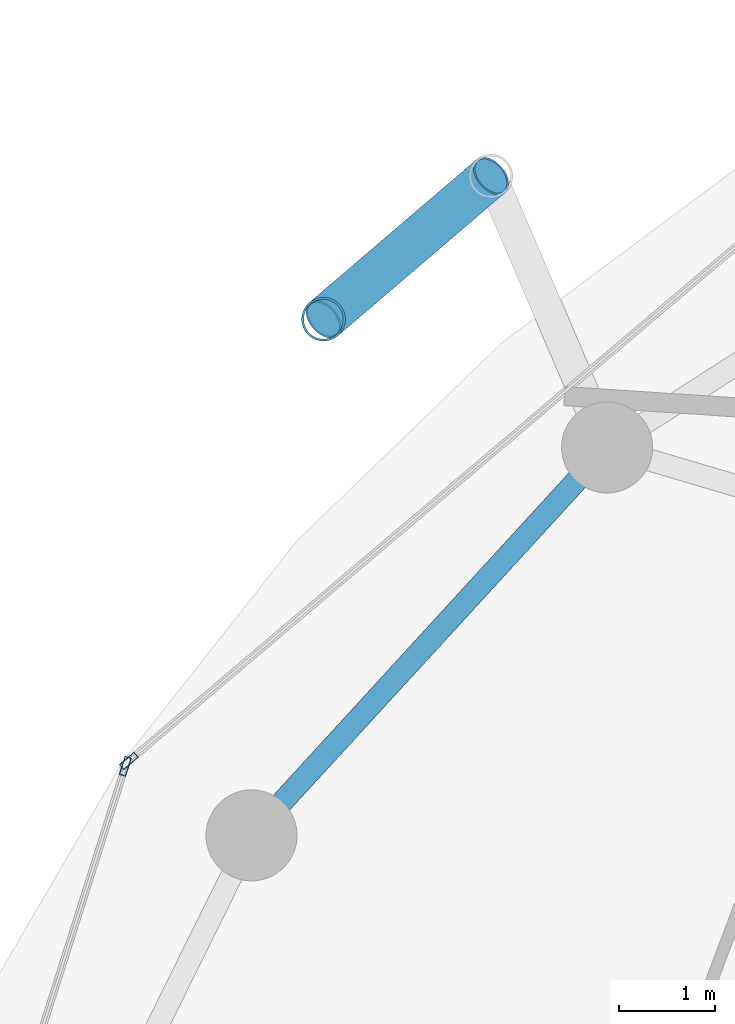
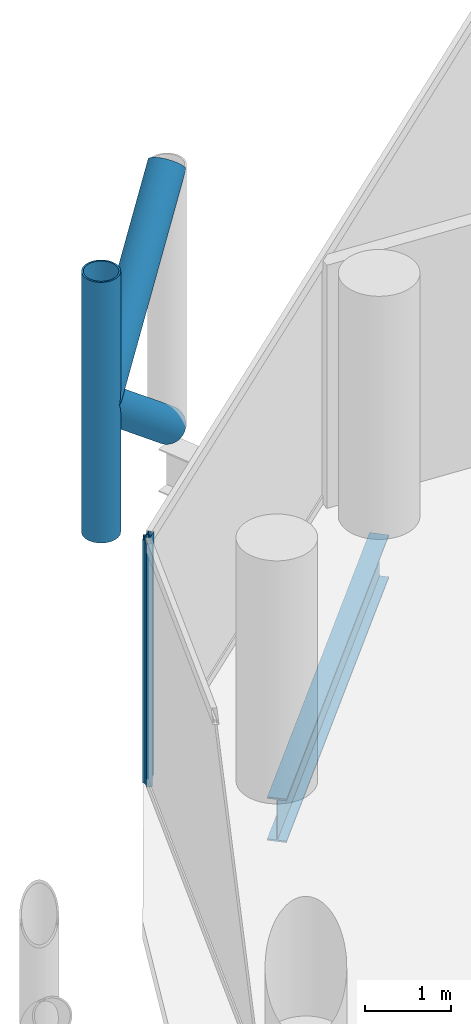
# One storey, part 13 of 26: 5 members, 1 beam, 2 elements without a shape of their own.
"""IFC4 building model written with IfcOpenShell, lengths in metres."""

from ifc_helpers import new_model, si_unit, direction, frame, origin, origin_2d, place, context, subcontext, project, spatial, hollow_rectangle, hollow_circle, i_section, extrude, material, layer, layer_set, material_profile, profile_set, type_object, element, aggregate, save


model = new_model("IFC4")

# Units and contexts
model_context = context("Model", 3, precision=1e-05, world=origin(), true_north=direction((0.0, 1.0)))
body_context = subcontext(model_context, "Body", "Model", "MODEL_VIEW")
ifc_project = project(units=[si_unit("LENGTHUNIT", "METRE"), si_unit("AREAUNIT", "SQUARE_METRE"), si_unit("VOLUMEUNIT", "CUBIC_METRE"), si_unit("PLANEANGLEUNIT", "RADIAN"), si_unit("MASSUNIT", "GRAM", prefix="KILO")], contexts=[model_context])

# Site, building, storey
site_placement = place(None, origin())
site = spatial("IfcSite", under=ifc_project, at=site_placement, CompositionType="ELEMENT")
building_placement = place(site_placement, origin())
building = spatial("IfcBuilding", under=site, at=building_placement, Name="Nuhasar Tower", CompositionType="ELEMENT")
storey_placement = place(building_placement, frame((0.0, 0.0, 166.35009765625)))
storey = spatial("IfcBuildingStorey", under=building, at=storey_placement, Name="L40", CompositionType="ELEMENT", Elevation=166.35009765625)

# Beam
ifc_material_1 = material(Name="Steel S355", Category="steel")
ifc_material_profile_1 = material_profile(ifc_material_1, i_section(OverallWidth=0.22998046875, OverallDepth=0.616943359375, WebThickness=0.01318359375, FlangeThickness=0.022216796875, at=origin_2d()), Name="W24X94")
ifc_profile_set_1 = profile_set([ifc_material_profile_1], Name="Steel S355")
beam_type = type_object("IfcBeamType", Name="BM-RING-W24X94", PredefinedType="SPANDREL", material=ifc_profile_set_1)
beam_placement = place(storey_placement, frame((22.489013671875, 40.6240234375, -0.55908203125), z_axis=(-0.675654174897, -0.737218716491, 0.0), x_axis=(0.737218716491, -0.675654174897, 0.0)))
element("IfcBeam", 1, at=beam_placement, inside=storey, type_object=beam_type, Name="L40 Perimeter Ring Spandrel 10", PredefinedType="SPANDREL", context=body_context, shape_type="SweptSolid", body=[
    extrude(i_section(OverallWidth=0.22998046875, OverallDepth=0.616943359375, WebThickness=0.01318359375, FlangeThickness=0.022216796875, at=origin_2d()), origin(), (0.0, 0.0, 1.0), 5.492431640625),
])

# Curtain wall, member
ifc_material_2 = material(Name="Aluminium 6063-T6", Category="aluminium")
ifc_layer = layer(ifc_material_2, 0.199951171875)
ifc_layer_set = layer_set([ifc_layer], Name="Aluminium 6063-T6")
curtain_wall_type = type_object("IfcCurtainWallType", Name="CW-Z2-HTL", PredefinedType="NOTDEFINED", material=ifc_layer_set)
curtain_wall_1_placement = place(storey_placement, origin())
curtain_wall_1 = element("IfcCurtainWall", 2, at=curtain_wall_1_placement, inside=storey, type_object=curtain_wall_type, Name="L40 Unitised Curtain Wall 05", PredefinedType="NOTDEFINED")
ifc_material_profile_2 = material_profile(ifc_material_2, hollow_rectangle(XDim=0.070068359375, YDim=0.199951171875, WallThickness=0.0048828125, at=origin_2d()), Name="CWM-3")
ifc_profile_set_2 = profile_set([ifc_material_profile_2], Name="Aluminium 6063-T6")
member_type_1 = type_object("IfcMemberType", Name="CW-MUL-S3", PredefinedType="MULLION", material=ifc_profile_set_2)
member_1_placement = place(storey_placement, frame((17.497802734375, 37.3525390625, 0.0), z_axis=(0.0, 0.0, 1.0), x_axis=(0.646374438324, -0.763020370292, 0.0)))
member_1 = element("IfcMember", 3, at=member_1_placement, type_object=member_type_1, Name="CW-Z2 mullion 2", PredefinedType="MULLION", context=body_context, shape_type="SweptSolid", body=[
    extrude(hollow_rectangle(XDim=0.070068359375, YDim=0.199951171875, WallThickness=0.0048828125, at=origin_2d()), origin(), (0.0, 0.0, 1.0), 3.449951171875),
])
aggregate(curtain_wall_1, [member_1])

curtain_wall_2_placement = place(storey_placement, origin())
curtain_wall_2 = element("IfcCurtainWall", 4, at=curtain_wall_2_placement, inside=storey, type_object=curtain_wall_type, Name="L40 Unitised Curtain Wall 06", PredefinedType="NOTDEFINED")
member_2_placement = place(storey_placement, frame((17.46044921875, 37.296630859375, 0.0), z_axis=(0.0, 0.0, 1.0), x_axis=(0.953433389233, -0.301603667577, 0.0)))
member_2 = element("IfcMember", 5, at=member_2_placement, type_object=member_type_1, Name="CW-Z2 mullion 1", PredefinedType="MULLION", context=body_context, shape_type="SweptSolid", body=[
    extrude(hollow_rectangle(XDim=0.070068359375, YDim=0.199951171875, WallThickness=0.0048828125, at=origin_2d()), origin(), (0.0, 0.0, 1.0), 3.449951171875),
])
aggregate(curtain_wall_2, [member_2])

# Members
ifc_material_3 = material(Name="Steel S460", Category="steel")
ifc_material_profile_3 = material_profile(ifc_material_3, hollow_circle(Radius=0.228515625, WallThickness=0.022216796875, at=origin_2d()), Name="HSS457X22.2")
ifc_profile_set_3 = profile_set([ifc_material_profile_3], Name="Steel S460")
member_type_2 = type_object("IfcMemberType", Name="EXO-BRONZE-457", PredefinedType="BRACE", material=ifc_profile_set_3)
member_3_placement = place(storey_placement, frame((19.529052734375, 41.9619140625, 0.0), z_axis=(0.0, 0.0, 1.0), x_axis=(1.0, 0.0, 0.0)))
element("IfcMember", 6, at=member_3_placement, inside=storey, type_object=member_type_2, Name="L40 Exoskeleton Chord Column EC-05B", PredefinedType="BRACE", context=body_context, shape_type="SweptSolid", body=[
    extrude(hollow_circle(Radius=0.228515625, WallThickness=0.022216796875, at=origin_2d()), origin(), (0.0, 0.0, 1.0), 3.699951171875),
])
member_4_placement = place(storey_placement, frame((21.277099609375, 43.45703125, 0.0), z_axis=(-0.592201065785, -0.506513872468, 0.626690988192), x_axis=(0.649986859795, -0.759945446788, 0.0)))
element("IfcMember", 7, at=member_4_placement, inside=storey, type_object=member_type_2, Name="L40 Bronze Diagrid Brace W1-05", PredefinedType="BRACE", context=body_context, shape_type="SweptSolid", body=[
    extrude(hollow_circle(Radius=0.228515625, WallThickness=0.022216796875, at=origin_2d()), origin(), (0.0, 0.0, 1.0), 2.95166015625),
])
member_5_placement = place(storey_placement, frame((19.529052734375, 41.9619140625, 1.849853515625), z_axis=(0.592170370358, 0.506487618445, 0.626741210415), x_axis=(-0.649986859795, 0.759945446788, 0.0)))
element("IfcMember", 8, at=member_5_placement, inside=storey, type_object=member_type_2, Name="L40 Bronze Diagrid Brace W2-05", PredefinedType="BRACE", context=body_context, shape_type="SweptSolid", body=[
    extrude(hollow_circle(Radius=0.228515625, WallThickness=0.022216796875, at=origin_2d()), origin(), (0.0, 0.0, 1.0), 2.951904296875),
])

save(model, "model.ifc")
